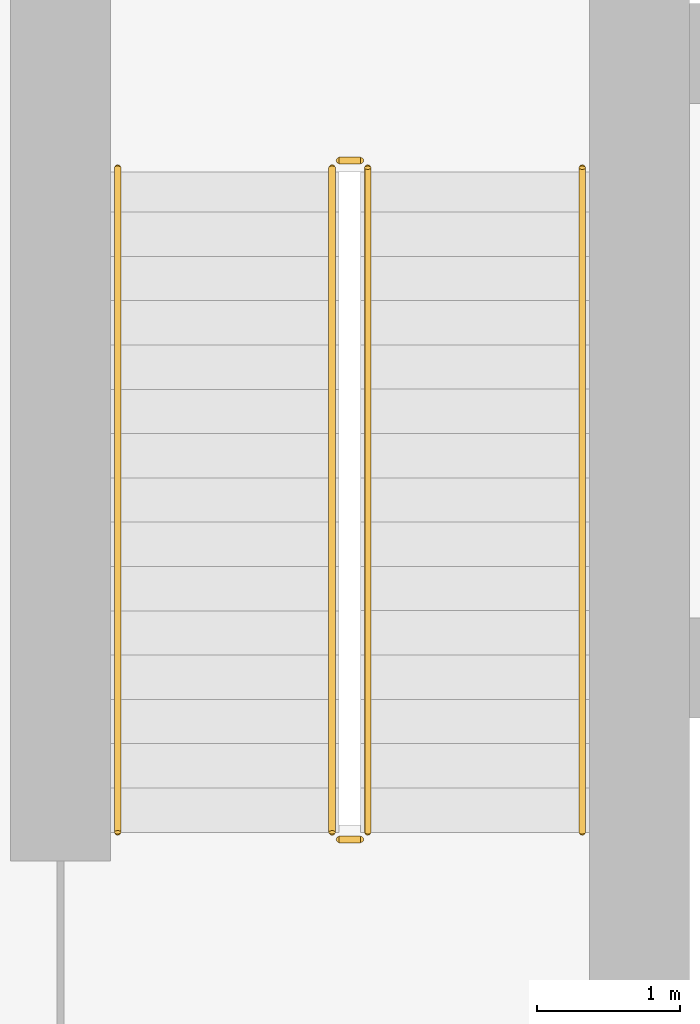
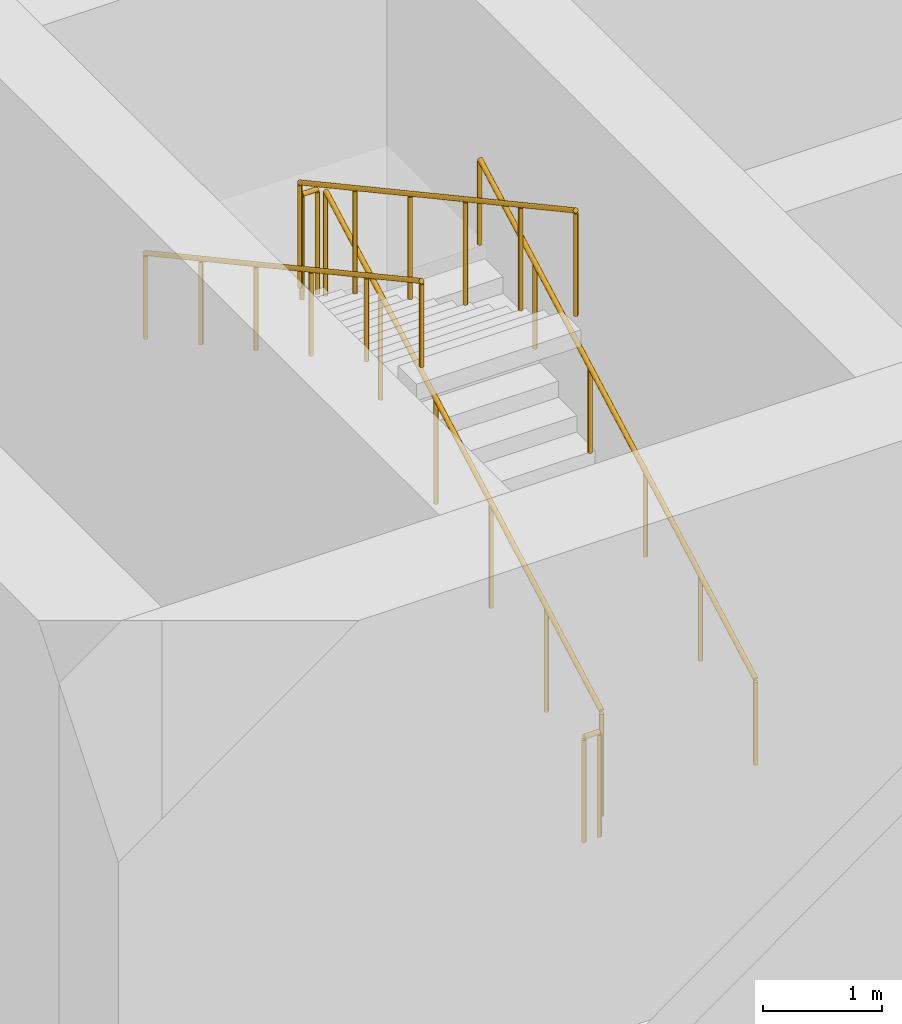
# One storey, part 17 of 22: 6 railings.
"""IFC4 building model written with IfcOpenShell, lengths in metres."""

from ifc_helpers import new_model, si_unit, direction, frame, origin, origin_2d, place, context, subcontext, project, spatial, circle, extrude, material, type_object, element, save


model = new_model("IFC4")

# Units and contexts
model_context = context("Model", 3, precision=1e-05, world=origin(), true_north=direction((0.0, 1.0)))
body_context = subcontext(model_context, "Body", "Model", "MODEL_VIEW")
ifc_project = project(units=[si_unit("LENGTHUNIT", "METRE"), si_unit("AREAUNIT", "SQUARE_METRE"), si_unit("VOLUMEUNIT", "CUBIC_METRE"), si_unit("PLANEANGLEUNIT", "RADIAN"), si_unit("MASSUNIT", "GRAM", prefix="KILO")], contexts=[model_context])

# Site, building, storey
site_placement = place(None, origin())
site = spatial("IfcSite", under=ifc_project, at=site_placement, CompositionType="ELEMENT")
building_placement = place(site_placement, origin())
building = spatial("IfcBuilding", under=site, at=building_placement, Name="Madar Terraces", CompositionType="ELEMENT")
storey_placement = place(building_placement, frame((0.0, 0.0, 24.0)))
storey = spatial("IfcBuildingStorey", under=building, at=storey_placement, Name="L05", CompositionType="ELEMENT", Elevation=24.0)

# Railings
ifc_material_1 = material(Name="Stainless steel railing", Category="steel")
railing_type_1 = type_object("IfcRailingType", Name="Stair guard 1100", PredefinedType="GUARDRAIL", material=ifc_material_1)
railing_1_placement = place(storey_placement, frame((21.199951171875, 17.60009765625, 0.168701171875)))
element("IfcRailing", 1, at=railing_1_placement, inside=storey, type_object=railing_type_1, Name="L05 ST1 stair guard 1", PredefinedType="GUARDRAIL", context=body_context, shape_type="SweptSolid", body=[
    extrude(circle(Radius=0.02392578125, at=origin_2d()), frame((0.0, 0.0, 1.076171875), z_axis=(0.0, 0.878297076953, 0.478115304728), x_axis=(-1.0, 0.0, 0.0)), (0.0, 0.0, 1.0), 5.294189453125),
    extrude(circle(Radius=0.02099609375, at=origin_2d()), origin(), (0.0, 0.0, 1.0), 1.052001953125),
    extrude(circle(Radius=0.02099609375, at=origin_2d()), frame((0.0, 0.929931640625, 0.50634765625)), (0.0, 0.0, 1.0), 1.052001953125),
    extrude(circle(Radius=0.02099609375, at=origin_2d()), frame((0.0, 1.85986328125, 1.012451171875)), (0.0, 0.0, 1.0), 1.052001953125),
    extrude(circle(Radius=0.02099609375, at=origin_2d()), frame((0.0, 2.7900390625, 1.518798828125)), (0.0, 0.0, 1.0), 1.052001953125),
    extrude(circle(Radius=0.02099609375, at=origin_2d()), frame((0.0, 3.719970703125, 2.02490234375)), (0.0, 0.0, 1.0), 1.052001953125),
    extrude(circle(Radius=0.02099609375, at=origin_2d()), frame((0.0, 4.64990234375, 2.53125)), (0.0, 0.0, 1.0), 1.052001953125),
])
railing_2_placement = place(storey_placement, frame((21.14990234375, 22.300048828125, 2.699951171875)))
element("IfcRailing", 2, at=railing_2_placement, inside=storey, type_object=railing_type_1, Name="L05 ST1 stair guard 2", PredefinedType="GUARDRAIL", context=body_context, shape_type="SweptSolid", body=[
    extrude(circle(Radius=0.02392578125, at=origin_2d()), frame((0.0, 0.0, 1.076171875), z_axis=(-1.0, 0.0, 0.0), x_axis=(0.0, -1.0, 0.0)), (0.0, 0.0, 1.0), 0.14990234375),
    extrude(circle(Radius=0.02099609375, at=origin_2d()), origin(), (0.0, 0.0, 1.0), 1.052001953125),
    extrude(circle(Radius=0.02099609375, at=origin_2d()), frame((-0.14990234375, 0.0, 0.0)), (0.0, 0.0, 1.0), 1.052001953125),
])
railing_3_placement = place(storey_placement, frame((20.949951171875, 22.25, 2.86865234375)))
element("IfcRailing", 3, at=railing_3_placement, inside=storey, type_object=railing_type_1, Name="L05 ST1 stair guard 3", PredefinedType="GUARDRAIL", context=body_context, shape_type="SweptSolid", body=[
    extrude(circle(Radius=0.02392578125, at=origin_2d()), frame((0.0, 0.0, 1.076171875), z_axis=(0.0, -0.878297076953, 0.478115304728), x_axis=(1.0, 0.0, 0.0)), (0.0, 0.0, 1.0), 5.294189453125),
    extrude(circle(Radius=0.02099609375, at=origin_2d()), origin(), (0.0, 0.0, 1.0), 1.052001953125),
    extrude(circle(Radius=0.02099609375, at=origin_2d()), frame((0.0, -0.929931640625, 0.50634765625)), (0.0, 0.0, 1.0), 1.052001953125),
    extrude(circle(Radius=0.02099609375, at=origin_2d()), frame((0.0, -1.85986328125, 1.012451171875)), (0.0, 0.0, 1.0), 1.052001953125),
    extrude(circle(Radius=0.02099609375, at=origin_2d()), frame((0.0, -2.7900390625, 1.518798828125)), (0.0, 0.0, 1.0), 1.052001953125),
    extrude(circle(Radius=0.02099609375, at=origin_2d()), frame((0.0, -3.719970703125, 2.02490234375)), (0.0, 0.0, 1.0), 1.052001953125),
    extrude(circle(Radius=0.02099609375, at=origin_2d()), frame((0.0, -4.64990234375, 2.53125)), (0.0, 0.0, 1.0), 1.052001953125),
])
railing_4_placement = place(storey_placement, frame((21.14990234375, 17.550048828125, 0.0)))
element("IfcRailing", 4, at=railing_4_placement, inside=storey, type_object=railing_type_1, Name="L05 ST1 stair guard 4", PredefinedType="GUARDRAIL", context=body_context, shape_type="SweptSolid", body=[
    extrude(circle(Radius=0.02392578125, at=origin_2d()), frame((0.0, 0.0, 1.076171875), z_axis=(-1.0, 0.0, 0.0), x_axis=(0.0, -1.0, 0.0)), (0.0, 0.0, 1.0), 0.14990234375),
    extrude(circle(Radius=0.02099609375, at=origin_2d()), origin(), (0.0, 0.0, 1.0), 1.052001953125),
    extrude(circle(Radius=0.02099609375, at=origin_2d()), frame((-0.14990234375, 0.0, 0.0)), (0.0, 0.0, 1.0), 1.052001953125),
])
ifc_material_2 = material(Name="Stainless steel railing", Category="steel")
railing_type_2 = type_object("IfcRailingType", Name="Stair handrail 900", PredefinedType="HANDRAIL", material=ifc_material_2)
railing_5_placement = place(storey_placement, frame((22.699951171875, 17.60009765625, 0.168701171875)))
element("IfcRailing", 5, at=railing_5_placement, inside=storey, type_object=railing_type_2, Name="L05 ST1 stair handrail 1", PredefinedType="HANDRAIL", context=body_context, shape_type="SweptSolid", body=[
    extrude(circle(Radius=0.02392578125, at=origin_2d()), frame((0.0, 0.0, 0.8759765625), z_axis=(0.0, 0.878297076953, 0.478115304728), x_axis=(-1.0, 0.0, 0.0)), (0.0, 0.0, 1.0), 5.294189453125),
    extrude(circle(Radius=0.02099609375, at=origin_2d()), origin(), (0.0, 0.0, 1.0), 0.851806640625),
    extrude(circle(Radius=0.02099609375, at=origin_2d()), frame((0.0, 0.929931640625, 0.50634765625)), (0.0, 0.0, 1.0), 0.851806640625),
    extrude(circle(Radius=0.02099609375, at=origin_2d()), frame((0.0, 1.85986328125, 1.012451171875)), (0.0, 0.0, 1.0), 0.851806640625),
    extrude(circle(Radius=0.02099609375, at=origin_2d()), frame((0.0, 2.7900390625, 1.518798828125)), (0.0, 0.0, 1.0), 0.851806640625),
    extrude(circle(Radius=0.02099609375, at=origin_2d()), frame((0.0, 3.719970703125, 2.02490234375)), (0.0, 0.0, 1.0), 0.851806640625),
    extrude(circle(Radius=0.02099609375, at=origin_2d()), frame((0.0, 4.64990234375, 2.53125)), (0.0, 0.0, 1.0), 0.851806640625),
])
railing_6_placement = place(storey_placement, frame((19.449951171875, 22.25, 2.86865234375)))
element("IfcRailing", 6, at=railing_6_placement, inside=storey, type_object=railing_type_2, Name="L05 ST1 stair handrail 2", PredefinedType="HANDRAIL", context=body_context, shape_type="SweptSolid", body=[
    extrude(circle(Radius=0.02392578125, at=origin_2d()), frame((0.0, 0.0, 0.8759765625), z_axis=(0.0, -0.878297076953, 0.478115304728), x_axis=(1.0, 0.0, 0.0)), (0.0, 0.0, 1.0), 5.294189453125),
    extrude(circle(Radius=0.02099609375, at=origin_2d()), origin(), (0.0, 0.0, 1.0), 0.851806640625),
    extrude(circle(Radius=0.02099609375, at=origin_2d()), frame((0.0, -0.929931640625, 0.50634765625)), (0.0, 0.0, 1.0), 0.851806640625),
    extrude(circle(Radius=0.02099609375, at=origin_2d()), frame((0.0, -1.85986328125, 1.012451171875)), (0.0, 0.0, 1.0), 0.851806640625),
    extrude(circle(Radius=0.02099609375, at=origin_2d()), frame((0.0, -2.7900390625, 1.518798828125)), (0.0, 0.0, 1.0), 0.851806640625),
    extrude(circle(Radius=0.02099609375, at=origin_2d()), frame((0.0, -3.719970703125, 2.02490234375)), (0.0, 0.0, 1.0), 0.851806640625),
    extrude(circle(Radius=0.02099609375, at=origin_2d()), frame((0.0, -4.64990234375, 2.53125)), (0.0, 0.0, 1.0), 0.851806640625),
])

save(model, "model.ifc")
